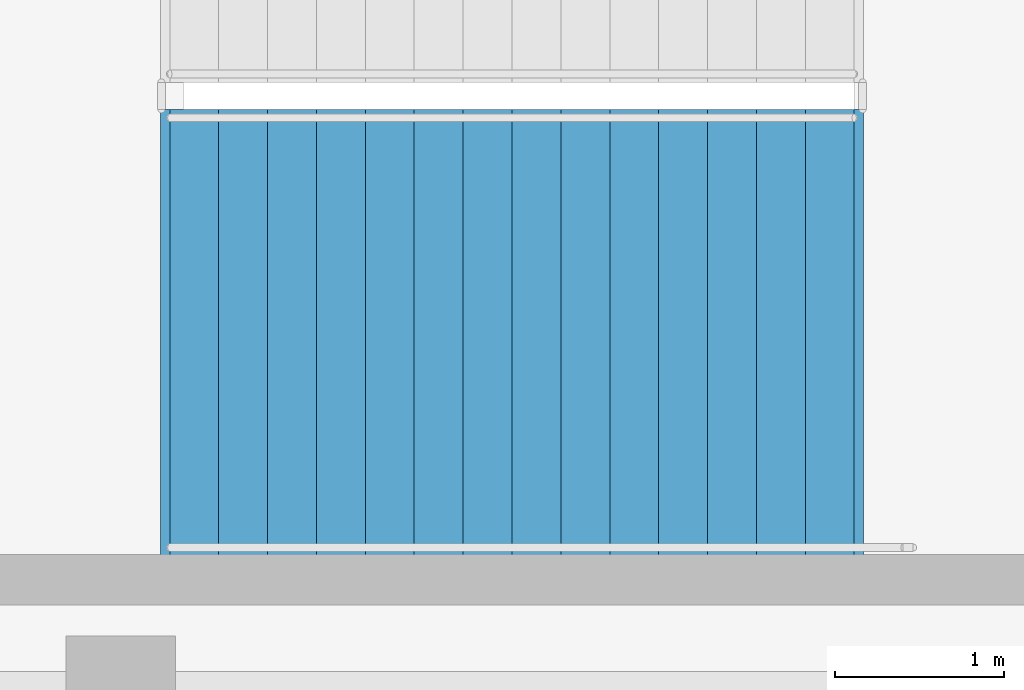
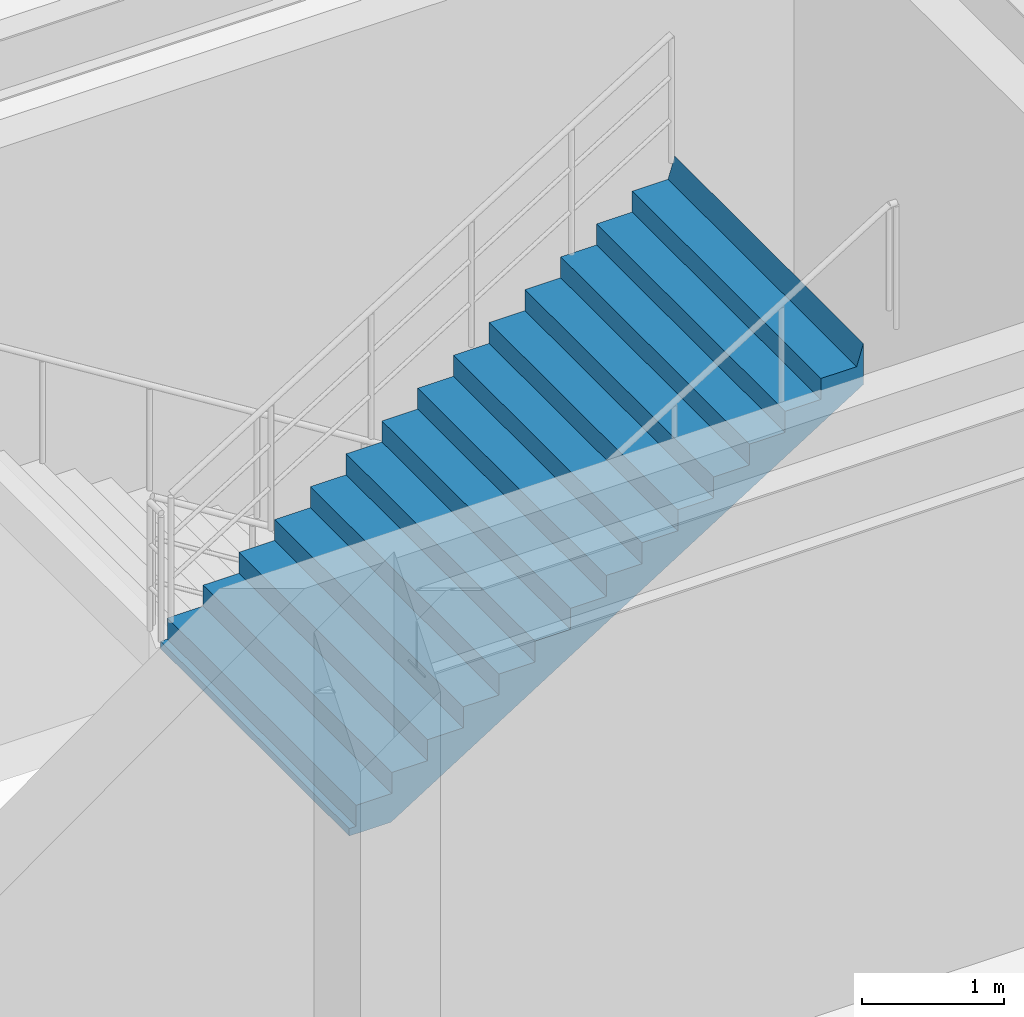
# One storey, part 64 of 93: 1 stair flight, 1 element without a shape of its own.
"""IFC4 building model written with IfcOpenShell, lengths in metres."""

import ifcopenshell
import ifcopenshell.guid

model = None  # the IFC model being written
_history = None  # IfcOwnerHistory: only IFC2X3 demands one
_inside = {}  # id of a spatial element -> (the spatial element, [elements in it])
_under = {}  # id of a project, library or spatial element -> (it, [spatial elements below it])
_declared = {}  # id of a project -> (the project, [libraries it declares])
_typed = {}  # id of a type object -> (the type object, [elements of that type])
_made_of = {}  # id of a material, layer set ... -> (it, [elements and type objects made of it])


def new_model(schema):
    """Start an empty IFC model of exactly this schema.

    Asked for "IFC4X3", IfcOpenShell would pick the latest addendum, in which some entities
    have other attributes; the version numbers below select the first issue.
    IFC2X3 requires an IfcOwnerHistory on every rooted entity: one is made here for all.
    """
    global model, _history
    if schema == "IFC4X3":
        model = ifcopenshell.file(schema_version=(4, 3, 0, 0))
    else:
        model = ifcopenshell.file(schema=schema)
    _inside.clear()
    _under.clear()
    _declared.clear()
    _typed.clear()
    _made_of.clear()
    _history = None
    if model.schema == "IFC2X3":
        org = make("IfcOrganization", Name="unknown")
        user = make(
            "IfcPersonAndOrganization",
            ThePerson=make("IfcPerson", FamilyName="unknown"),
            TheOrganization=org,
        )
        app = make(
            "IfcApplication",
            ApplicationDeveloper=org,
            Version="unknown",
            ApplicationFullName="unknown",
            ApplicationIdentifier="unknown",
        )
        _history = make(
            "IfcOwnerHistory",
            OwningUser=user,
            OwningApplication=app,
            ChangeAction="ADDED",
            CreationDate=0,
        )
    return model


def make(cls, **values):
    """One entity of the class cls with the attributes given. An attribute that is None is left unset."""
    return model.create_entity(
        cls, **{name: value for name, value in values.items() if value is not None}
    )


def rooted(cls, **values):
    """An entity with a GlobalId (a new one), such as an element, a storey or a relation."""
    return make(cls, GlobalId=ifcopenshell.guid.new(), OwnerHistory=_history, **values)


def si_unit(unit_type, name, prefix=None):
    """IfcSIUnit, for example si_unit("LENGTHUNIT", "METRE", prefix="MILLI")."""
    return make("IfcSIUnit", UnitType=unit_type, Prefix=prefix, Name=name)


def assignment(units):
    """IfcUnitAssignment: the units of a project."""
    return None if units is None else make("IfcUnitAssignment", Units=units)


def point(xyz):
    """IfcCartesianPoint."""
    return None if xyz is None else make("IfcCartesianPoint", Coordinates=xyz)


def direction(xyz):
    """IfcDirection."""
    return None if xyz is None else make("IfcDirection", DirectionRatios=xyz)


def frame(location, z_axis=None, x_axis=None):
    """IfcAxis2Placement3D, a coordinate frame: its origin and axes. An axis left out is left unset."""
    return make(
        "IfcAxis2Placement3D",
        Location=point(location),
        Axis=direction(z_axis),
        RefDirection=direction(x_axis),
    )


def origin():
    """The frame at (0, 0, 0) with its axes left unset."""
    return frame((0.0, 0.0, 0.0))


def place(relative_to, where):
    """IfcLocalPlacement: puts the frame where relative to a parent placement (None: the world)."""
    return make(
        "IfcLocalPlacement", PlacementRelTo=relative_to, RelativePlacement=where
    )


def context(
    kind, dimensions, precision=None, world=None, true_north=None, identifier=None
):
    """IfcGeometricRepresentationContext, for example the 3D "Model" context."""
    return make(
        "IfcGeometricRepresentationContext",
        ContextIdentifier=identifier,
        ContextType=kind,
        CoordinateSpaceDimension=dimensions,
        Precision=precision,
        WorldCoordinateSystem=world,
        TrueNorth=true_north,
    )


def subcontext(parent, identifier, kind, view, scale=None):
    """IfcGeometricRepresentationSubContext, for example "Body" below "Model"."""
    return make(
        "IfcGeometricRepresentationSubContext",
        ContextIdentifier=identifier,
        ContextType=kind,
        ParentContext=parent,
        TargetScale=scale,
        TargetView=view,
    )


def project(units=None, contexts=None):
    """IfcProject with its units and contexts."""
    return rooted(
        "IfcProject",
        Name="project",
        RepresentationContexts=contexts,
        UnitsInContext=assignment(units),
    )


def spatial(cls, under=None, at=None, **own):
    """A site, building, storey or space (cls), placed at a placement, below another one or the project."""
    s = rooted(cls, ObjectPlacement=at, **own)
    if under is not None:
        _under.setdefault(under.id(), (under, []))[1].append(s)
    return s


def polyline(points):
    """IfcPolyline through the points."""
    return make("IfcPolyline", Points=[point(p) for p in points])


def outline(outer, holes=None, kind="AREA"):
    """IfcArbitraryClosedProfileDef: a profile drawn as a closed curve; with holes, ...WithVoids."""
    if holes is None:
        return make("IfcArbitraryClosedProfileDef", ProfileType=kind, OuterCurve=outer)
    return make(
        "IfcArbitraryProfileDefWithVoids",
        ProfileType=kind,
        OuterCurve=outer,
        InnerCurves=holes,
    )


def extrude(swept, where, along, depth):
    """IfcExtrudedAreaSolid: the profile swept, set in the frame where, extruded along a direction by depth."""
    return make(
        "IfcExtrudedAreaSolid",
        SweptArea=swept,
        Position=where,
        ExtrudedDirection=direction(along),
        Depth=depth,
    )


def shape(context_of_items, identifier, shape_type, items):
    """IfcShapeRepresentation: the items that make up one representation, for example the "Body"."""
    return make(
        "IfcShapeRepresentation",
        ContextOfItems=context_of_items,
        RepresentationIdentifier=identifier,
        RepresentationType=shape_type,
        Items=items,
    )


def material(Name=None, Category=None):
    """IfcMaterial."""
    return make("IfcMaterial", Name=Name, Category=Category)


def made_of(thing, what):
    """Note that an element or type object is made of a material, layer set ...; save() writes the relation."""
    if what is not None:
        _made_of.setdefault(what.id(), (what, []))[1].append(thing)
    return thing


def type_object(cls, material=None, **own):
    """A type object (cls), such as IfcWallType, which elements share."""
    return made_of(rooted(cls, **own), material)


def element(
    cls,
    number,
    at=None,
    inside=None,
    cuts=None,
    type_object=None,
    material=None,
    context=None,
    identifier="Body",
    shape_type=None,
    held_by="IfcProductDefinitionShape",
    body=None,
    shapes=None,
    **own,
):
    """One element of the class cls, such as IfcWall. Its Tag is "e" and its number.

    at: its placement. inside: the storey or other place that contains it. cuts: it is an
    opening in that element (IfcRelVoidsElement). A single representation is given by context,
    identifier, shape_type and body (its items); several are given by shapes. held_by: the class
    of the entity that holds the representations. save() writes the other relations.
    """
    e = rooted(cls, Tag="e%d" % number, ObjectPlacement=at, **own)
    if body is not None:
        shapes = [shape(context, identifier, shape_type, body)]
    if shapes is not None:
        e.Representation = make(held_by, Representations=shapes)
    if inside is not None:
        _inside.setdefault(inside.id(), (inside, []))[1].append(e)
    if cuts is not None:
        rooted(
            "IfcRelVoidsElement", RelatingBuildingElement=cuts, RelatedOpeningElement=e
        )
    if type_object is not None:
        _typed.setdefault(type_object.id(), (type_object, []))[1].append(e)
    return made_of(e, material)


def aggregate(whole, parts):
    """IfcRelAggregates: a whole, such as a stair, and the parts it consists of."""
    return rooted("IfcRelAggregates", RelatingObject=whole, RelatedObjects=parts)


def save(model, path):
    """Write the relations noted so far, then the file.

    IfcRelAggregates (storeys below a building ...), IfcRelContainedInSpatialStructure (elements
    in a storey), IfcRelDefinesByType, IfcRelAssociatesMaterial and IfcRelDeclares: one each for
    every whole, place, type object, material and project.
    """
    for whole, parts in _under.values():
        aggregate(whole, parts)
    for where, things in _inside.values():
        rooted(
            "IfcRelContainedInSpatialStructure",
            RelatedElements=things,
            RelatingStructure=where,
        )
    for kind, things in _typed.values():
        rooted("IfcRelDefinesByType", RelatedObjects=things, RelatingType=kind)
    for what, things in _made_of.values():
        rooted("IfcRelAssociatesMaterial", RelatedObjects=things, RelatingMaterial=what)
    for by, libraries in _declared.values():
        rooted("IfcRelDeclares", RelatingContext=by, RelatedDefinitions=libraries)
    model.write(path)


model = new_model("IFC4")

# Units and contexts
model_context = context("Model", 3, precision=1e-05, world=origin(), true_north=direction((0.0, 1.0)))
body_context = subcontext(model_context, "Body", "Model", "MODEL_VIEW")
ifc_project = project(units=[si_unit("LENGTHUNIT", "METRE"), si_unit("AREAUNIT", "SQUARE_METRE"), si_unit("VOLUMEUNIT", "CUBIC_METRE"), si_unit("PLANEANGLEUNIT", "RADIAN"), si_unit("MASSUNIT", "GRAM", prefix="KILO")], contexts=[model_context])

# Site, building, storey
site_placement = place(None, origin())
site = spatial("IfcSite", under=ifc_project, at=site_placement, CompositionType="ELEMENT")
building_placement = place(site_placement, origin())
building = spatial("IfcBuilding", under=site, at=building_placement, Name="Cinderbank Siding Concert Hall", CompositionType="ELEMENT")
storey_placement = place(building_placement, origin())
storey = spatial("IfcBuildingStorey", under=building, at=storey_placement, Name="L01", CompositionType="ELEMENT", Elevation=0.0)

# Stair, stair flight
ifc_material = material(Name="Reinforced concrete AS 3600 N50 (50 MPa)", Category="concrete")
stair_type = type_object("IfcStairType", Name="STR-A Dogleg Exit Stair 2650mm", PredefinedType="HALF_TURN_STAIR", material=ifc_material)
stair_placement = place(storey_placement, origin())
stair = element("IfcStair", 1, at=stair_placement, inside=storey, type_object=stair_type, Name="L01 Chamber Pavilion Exit Stair ST-06", PredefinedType="HALF_TURN_STAIR")
stair_flight_type = type_object("IfcStairFlightType", Name="SFL-A Concrete Stair Flight 2650mm", PredefinedType="STRAIGHT", material=ifc_material)
stair_flight_placement = place(storey_placement, frame((12.68994140625, 30.125, 2.699951171875), z_axis=(0.0, 0.0, 1.0), x_axis=(1.0, 0.0, 0.0)))
stair_flight = element("IfcStairFlight", 2, at=stair_flight_placement, type_object=stair_flight_type, Name="ST-06 flight 2", NumberOfRisers=15, NumberOfTreads=14, PredefinedType="STRAIGHT", RiserHeight=0.18, TreadLength=0.29, context=body_context, shape_type="SweptSolid", body=[
    extrude(outline(polyline([(0.0, 0.0), (0.0, 0.179931640625), (0.2900390625, 0.179931640625), (0.2900390625, 0.360107421875), (0.580078125, 0.360107421875), (0.580078125, 0.5400390625), (0.8701171875, 0.5400390625), (0.8701171875, 0.719970703125), (1.159912109375, 0.719970703125), (1.159912109375, 0.89990234375), (1.449951171875, 0.89990234375), (1.449951171875, 1.080078125), (1.739990234375, 1.080078125), (1.739990234375, 1.260009765625), (2.030029296875, 1.260009765625), (2.030029296875, 1.43994140625), (2.320068359375, 1.43994140625), (2.320068359375, 1.6201171875), (2.610107421875, 1.6201171875), (2.610107421875, 1.800048828125), (2.89990234375, 1.800048828125), (2.89990234375, 1.97998046875), (3.18994140625, 1.97998046875), (3.18994140625, 2.159912109375), (3.47998046875, 2.159912109375), (3.47998046875, 2.340087890625), (3.77001953125, 2.340087890625), (3.77001953125, 2.52001953125), (4.06005859375, 2.52001953125), (4.114990234375, 2.699951171875), (4.114990234375, 2.343505859375), (4.11474609375, 2.34375), (4.11474609375, 2.343994140625), (4.11474609375, 2.34423828125), (4.11474609375, 2.344482421875), (4.11474609375, 2.3447265625), (4.11474609375, 2.344970703125), (4.11474609375, 2.34521484375), (4.11474609375, 2.345458984375), (4.11474609375, 2.345703125), (4.11474609375, 2.345947265625), (4.11474609375, 2.34619140625), (4.11474609375, 2.346435546875), (4.114501953125, 2.346435546875), (4.114501953125, 2.34619140625), (4.114501953125, 2.345947265625), (4.114501953125, 2.345703125), (4.114501953125, 2.345458984375), (4.114501953125, 2.34521484375), (4.114501953125, 2.344970703125), (4.114501953125, 2.3447265625), (4.114501953125, 2.344482421875), (4.114501953125, 2.34423828125), (4.114501953125, 2.343994140625), (4.114501953125, 2.34375), (4.114501953125, 2.343505859375), (4.1142578125, 2.34375), (4.1142578125, 2.343994140625), (4.1142578125, 2.34423828125), (4.1142578125, 2.344482421875), (4.1142578125, 2.3447265625), (4.1142578125, 2.344970703125), (4.1142578125, 2.34521484375), (4.1142578125, 2.345458984375), (4.1142578125, 2.345703125), (4.1142578125, 2.345947265625), (4.1142578125, 2.34619140625), (4.1142578125, 2.346435546875), (4.114013671875, 2.346435546875), (4.114013671875, 2.34619140625), (4.114013671875, 2.345947265625), (4.114013671875, 2.345703125), (4.114013671875, 2.345458984375), (4.114013671875, 2.34521484375), (4.114013671875, 2.344970703125), (4.114013671875, 2.3447265625), (4.114013671875, 2.344482421875), (4.114013671875, 2.34423828125), (4.114013671875, 2.343994140625), (4.114013671875, 2.34375), (4.114013671875, 2.343505859375), (4.11376953125, 2.34375), (4.11376953125, 2.343994140625), (4.11376953125, 2.34423828125), (4.11376953125, 2.344482421875), (4.11376953125, 2.3447265625), (4.11376953125, 2.344970703125), (4.11376953125, 2.34521484375), (4.11376953125, 2.345458984375), (4.11376953125, 2.345703125), (4.11376953125, 2.345947265625), (4.11376953125, 2.34619140625), (4.11376953125, 2.346435546875), (4.113525390625, 2.346435546875), (4.113525390625, 2.34619140625), (4.113525390625, 2.345947265625), (4.113525390625, 2.345703125), (4.113525390625, 2.345458984375), (4.113525390625, 2.34521484375), (4.113525390625, 2.344970703125), (4.113525390625, 2.3447265625), (4.113525390625, 2.344482421875), (4.113525390625, 2.34423828125), (4.113525390625, 2.343994140625), (4.113525390625, 2.34375), (4.113525390625, 2.343505859375), (4.11328125, 2.34375), (4.11328125, 2.343994140625), (4.11328125, 2.34423828125), (4.11328125, 2.344482421875), (4.11328125, 2.3447265625), (4.11328125, 2.344970703125), (4.11328125, 2.34521484375), (4.11328125, 2.345458984375), (4.11328125, 2.345703125), (4.11328125, 2.345947265625), (4.11328125, 2.34619140625), (4.11328125, 2.346435546875), (4.113037109375, 2.346435546875), (4.113037109375, 2.34619140625), (4.113037109375, 2.345947265625), (4.113037109375, 2.345703125), (4.113037109375, 2.345458984375), (4.113037109375, 2.34521484375), (4.113037109375, 2.344970703125), (4.113037109375, 2.3447265625), (4.113037109375, 2.344482421875), (4.113037109375, 2.34423828125), (4.113037109375, 2.343994140625), (4.113037109375, 2.34375), (4.113037109375, 2.343505859375), (4.11279296875, 2.34375), (4.11279296875, 2.343994140625), (4.11279296875, 2.34423828125), (4.11279296875, 2.344482421875), (4.11279296875, 2.3447265625), (4.11279296875, 2.344970703125), (4.11279296875, 2.34521484375), (4.11279296875, 2.345458984375), (4.11279296875, 2.345703125), (4.11279296875, 2.345947265625), (4.11279296875, 2.34619140625), (4.11279296875, 2.346435546875), (4.112548828125, 2.346435546875), (4.112548828125, 2.34619140625), (4.112548828125, 2.345947265625), (4.112548828125, 2.345703125), (4.112548828125, 2.345458984375), (4.112548828125, 2.34521484375), (4.112548828125, 2.344970703125), (4.112548828125, 2.3447265625), (4.112548828125, 2.344482421875), (4.112548828125, 2.34423828125), (4.112548828125, 2.343994140625), (4.112548828125, 2.34375), (4.112548828125, 2.343505859375), (4.1123046875, 2.34375), (4.1123046875, 2.343994140625), (4.1123046875, 2.34423828125), (4.1123046875, 2.344482421875), (4.1123046875, 2.3447265625), (4.1123046875, 2.344970703125), (4.1123046875, 2.34521484375), (4.1123046875, 2.345458984375), (4.1123046875, 2.345703125), (4.1123046875, 2.345947265625), (4.1123046875, 2.34619140625), (4.1123046875, 2.346435546875), (4.112060546875, 2.346435546875), (4.112060546875, 2.34619140625), (4.112060546875, 2.345947265625), (4.112060546875, 2.345703125), (4.112060546875, 2.345458984375), (4.112060546875, 2.34521484375), (4.112060546875, 2.344970703125), (4.112060546875, 2.3447265625), (4.112060546875, 2.344482421875), (4.112060546875, 2.34423828125), (4.112060546875, 2.343994140625), (4.112060546875, 2.34375), (4.112060546875, 2.343505859375), (4.11181640625, 2.34375), (4.11181640625, 2.343994140625), (4.11181640625, 2.34423828125), (4.11181640625, 2.344482421875), (4.11181640625, 2.3447265625), (4.11181640625, 2.344970703125), (4.11181640625, 2.34521484375), (4.11181640625, 2.345458984375), (4.11181640625, 2.345703125), (4.11181640625, 2.345947265625), (4.11181640625, 2.34619140625), (4.11181640625, 2.346435546875), (4.111572265625, 2.346435546875), (4.111572265625, 2.34619140625), (4.111572265625, 2.345947265625), (4.111572265625, 2.345703125), (4.111572265625, 2.345458984375), (4.111572265625, 2.34521484375), (4.111572265625, 2.344970703125), (4.111572265625, 2.3447265625), (4.111572265625, 2.344482421875), (4.111572265625, 2.34423828125), (4.111572265625, 2.343994140625), (4.111572265625, 2.34375), (4.111572265625, 2.343505859375), (4.111328125, 2.34375), (4.111328125, 2.343994140625), (4.111328125, 2.34423828125), (4.111328125, 2.344482421875), (4.111328125, 2.3447265625), (4.111328125, 2.344970703125), (4.111328125, 2.34521484375), (4.111328125, 2.345458984375), (4.111328125, 2.345703125), (4.111328125, 2.345947265625), (4.111328125, 2.34619140625), (4.111328125, 2.346435546875), (4.111083984375, 2.346435546875), (4.111083984375, 2.34619140625), (4.111083984375, 2.345947265625), (4.111083984375, 2.345703125), (4.111083984375, 2.345458984375), (4.111083984375, 2.34521484375), (4.111083984375, 2.344970703125), (4.111083984375, 2.3447265625), (4.111083984375, 2.344482421875), (4.111083984375, 2.34423828125), (4.111083984375, 2.343994140625), (4.111083984375, 2.34375), (4.111083984375, 2.343505859375), (4.11083984375, 2.34375), (4.11083984375, 2.343994140625), (4.11083984375, 2.34423828125), (4.11083984375, 2.344482421875), (4.11083984375, 2.3447265625), (4.11083984375, 2.344970703125), (4.11083984375, 2.34521484375), (4.11083984375, 2.345458984375), (4.11083984375, 2.345703125), (4.11083984375, 2.345947265625), (4.11083984375, 2.34619140625), (4.11083984375, 2.346435546875), (4.110595703125, 2.346435546875), (4.110595703125, 2.34619140625), (4.110595703125, 2.345947265625), (4.110595703125, 2.345703125), (4.110595703125, 2.345458984375), (4.110595703125, 2.34521484375), (4.110595703125, 2.344970703125), (4.110595703125, 2.3447265625), (4.110595703125, 2.344482421875), (4.110595703125, 2.34423828125), (4.110595703125, 2.343994140625), (4.110595703125, 2.34375), (4.110595703125, 2.343505859375), (4.1103515625, 2.34375), (4.1103515625, 2.343994140625), (4.1103515625, 2.34423828125), (4.1103515625, 2.344482421875), (4.1103515625, 2.3447265625), (4.1103515625, 2.344970703125), (4.1103515625, 2.34521484375), (4.1103515625, 2.345458984375), (4.1103515625, 2.345703125), (4.1103515625, 2.345947265625), (4.1103515625, 2.34619140625), (4.1103515625, 2.346435546875), (4.110107421875, 2.346435546875), (4.110107421875, 2.34619140625), (4.110107421875, 2.345947265625), (4.110107421875, 2.345703125), (4.110107421875, 2.345458984375), (4.110107421875, 2.34521484375), (4.110107421875, 2.344970703125), (4.110107421875, 2.3447265625), (4.110107421875, 2.344482421875), (4.110107421875, 2.34423828125), (4.110107421875, 2.343994140625), (4.110107421875, 2.34375), (4.110107421875, 2.343505859375), (4.10986328125, 2.34375), (4.10986328125, 2.343994140625), (4.10986328125, 2.34423828125), (4.10986328125, 2.344482421875), (4.10986328125, 2.3447265625), (4.10986328125, 2.344970703125), (4.10986328125, 2.34521484375), (4.10986328125, 2.345458984375), (4.10986328125, 2.345703125), (4.10986328125, 2.345947265625), (4.10986328125, 2.34619140625), (4.10986328125, 2.346435546875), (4.109619140625, 2.346435546875), (4.109619140625, 2.34619140625), (4.109619140625, 2.345947265625), (4.109619140625, 2.345703125), (4.109619140625, 2.345458984375), (4.109619140625, 2.34521484375), (4.109619140625, 2.344970703125), (4.109619140625, 2.3447265625), (4.109619140625, 2.344482421875), (4.109619140625, 2.34423828125), (4.109619140625, 2.343994140625), (4.109619140625, 2.34375), (4.109619140625, 2.343505859375), (4.109375, 2.34375), (4.109375, 2.343994140625), (4.109375, 2.34423828125), (4.109375, 2.344482421875), (4.109375, 2.3447265625), (4.109375, 2.344970703125), (4.109375, 2.34521484375), (4.109375, 2.345458984375), (4.109375, 2.345703125), (4.109375, 2.345947265625), (4.109375, 2.34619140625), (4.109375, 2.346435546875), (4.109130859375, 2.346435546875), (4.109130859375, 2.34619140625), (4.109130859375, 2.345947265625), (4.109130859375, 2.345703125), (4.109130859375, 2.345458984375), (4.109130859375, 2.34521484375), (4.109130859375, 2.344970703125), (4.109130859375, 2.3447265625), (4.109130859375, 2.344482421875), (4.109130859375, 2.34423828125), (4.109130859375, 2.343994140625), (4.109130859375, 2.34375), (4.109130859375, 2.343505859375), (4.10888671875, 2.34375), (4.10888671875, 2.343994140625), (4.10888671875, 2.34423828125), (4.10888671875, 2.344482421875), (4.10888671875, 2.3447265625), (4.10888671875, 2.344970703125), (4.10888671875, 2.34521484375), (4.10888671875, 2.345458984375), (4.10888671875, 2.345703125), (4.10888671875, 2.345947265625), (4.10888671875, 2.34619140625), (4.10888671875, 2.346435546875), (4.108642578125, 2.346435546875), (4.108642578125, 2.34619140625), (4.108642578125, 2.345947265625), (4.108642578125, 2.345703125), (4.108642578125, 2.345458984375), (4.108642578125, 2.34521484375), (4.108642578125, 2.344970703125), (4.108642578125, 2.3447265625), (4.108642578125, 2.344482421875), (4.108642578125, 2.34423828125), (4.108642578125, 2.343994140625), (4.108642578125, 2.34375), (4.108642578125, 2.343505859375), (0.2841796875, -0.06396484375), (-0.048583984375, -0.063720703125), (-0.048583984375, -0.0634765625), (-0.048583984375, -0.063232421875), (-0.048583984375, -0.06298828125), (-0.048583984375, -0.062744140625), (-0.048583984375, -0.0625), (-0.048583984375, -0.062255859375), (-0.048583984375, -0.06201171875), (-0.048583984375, -0.061767578125), (-0.048583984375, -0.0615234375), (-0.048583984375, -0.061279296875), (-0.048583984375, -0.06103515625), (-0.048828125, -0.06103515625), (-0.048828125, -0.061279296875), (-0.048828125, -0.0615234375), (-0.048828125, -0.061767578125), (-0.048828125, -0.06201171875), (-0.048828125, -0.062255859375), (-0.048828125, -0.0625), (-0.048828125, -0.062744140625), (-0.048828125, -0.06298828125), (-0.048828125, -0.063232421875), (-0.048828125, -0.0634765625), (-0.048828125, -0.063720703125), (-0.048828125, -0.06396484375), (-0.049072265625, -0.063720703125), (-0.049072265625, -0.0634765625), (-0.049072265625, -0.063232421875), (-0.049072265625, -0.06298828125), (-0.049072265625, -0.062744140625), (-0.049072265625, -0.0625), (-0.049072265625, -0.062255859375), (-0.049072265625, -0.06201171875), (-0.049072265625, -0.061767578125), (-0.049072265625, -0.0615234375), (-0.049072265625, -0.061279296875), (-0.049072265625, -0.06103515625), (-0.04931640625, -0.06103515625), (-0.04931640625, -0.061279296875), (-0.04931640625, -0.0615234375), (-0.04931640625, -0.061767578125), (-0.04931640625, -0.06201171875), (-0.04931640625, -0.062255859375), (-0.04931640625, -0.0625), (-0.04931640625, -0.062744140625), (-0.04931640625, -0.06298828125), (-0.04931640625, -0.063232421875), (-0.04931640625, -0.0634765625), (-0.04931640625, -0.063720703125), (-0.04931640625, -0.06396484375), (-0.049560546875, -0.063720703125), (-0.049560546875, -0.0634765625), (-0.049560546875, -0.063232421875), (-0.049560546875, -0.06298828125), (-0.049560546875, -0.062744140625), (-0.049560546875, -0.0625), (-0.049560546875, -0.062255859375), (-0.049560546875, -0.06201171875), (-0.049560546875, -0.061767578125), (-0.049560546875, -0.0615234375), (-0.049560546875, -0.061279296875), (-0.049560546875, -0.06103515625), (-0.0498046875, -0.06103515625), (-0.0498046875, -0.061279296875), (-0.0498046875, -0.0615234375), (-0.0498046875, -0.061767578125), (-0.0498046875, -0.06201171875), (-0.0498046875, -0.062255859375), (-0.0498046875, -0.0625), (-0.0498046875, -0.062744140625), (-0.0498046875, -0.06298828125), (-0.0498046875, -0.063232421875), (-0.0498046875, -0.0634765625), (-0.0498046875, -0.063720703125), (-0.0498046875, -0.06396484375), (-0.050048828125, -0.063720703125), (-0.050048828125, -0.0634765625), (-0.050048828125, -0.063232421875), (-0.050048828125, -0.06298828125), (-0.050048828125, -0.062744140625), (-0.050048828125, -0.0625), (-0.050048828125, -0.062255859375), (-0.050048828125, -0.06201171875), (-0.050048828125, -0.061767578125), (-0.050048828125, -0.0615234375), (-0.050048828125, -0.061279296875), (-0.050048828125, -0.06103515625), (-0.05029296875, -0.06103515625), (-0.05029296875, -0.061279296875), (-0.05029296875, -0.0615234375), (-0.05029296875, -0.061767578125), (-0.05029296875, -0.06201171875), (-0.05029296875, -0.062255859375), (-0.05029296875, -0.0625), (-0.05029296875, -0.062744140625), (-0.05029296875, -0.06298828125), (-0.05029296875, -0.063232421875), (-0.05029296875, -0.0634765625), (-0.05029296875, -0.063720703125), (-0.05029296875, -0.06396484375), (-0.050537109375, -0.063720703125), (-0.050537109375, -0.0634765625), (-0.050537109375, -0.063232421875), (-0.050537109375, -0.06298828125), (-0.050537109375, -0.062744140625), (-0.050537109375, -0.0625), (-0.050537109375, -0.062255859375), (-0.050537109375, -0.06201171875), (-0.050537109375, -0.061767578125), (-0.050537109375, -0.0615234375), (-0.050537109375, -0.061279296875), (-0.050537109375, -0.06103515625), (-0.05078125, -0.06103515625), (-0.05078125, -0.061279296875), (-0.05078125, -0.0615234375), (-0.05078125, -0.061767578125), (-0.05078125, -0.06201171875), (-0.05078125, -0.062255859375), (-0.05078125, -0.0625), (-0.05078125, -0.062744140625), (-0.05078125, -0.06298828125), (-0.05078125, -0.063232421875), (-0.05078125, -0.0634765625), (-0.05078125, -0.063720703125), (-0.05078125, -0.06396484375), (-0.051025390625, -0.063720703125), (-0.051025390625, -0.0634765625), (-0.051025390625, -0.063232421875), (-0.051025390625, -0.06298828125), (-0.051025390625, -0.062744140625), (-0.051025390625, -0.0625), (-0.051025390625, -0.062255859375), (-0.051025390625, -0.06201171875), (-0.051025390625, -0.061767578125), (-0.051025390625, -0.0615234375), (-0.051025390625, -0.061279296875), (-0.051025390625, -0.06103515625), (-0.05126953125, -0.06103515625), (-0.05126953125, -0.061279296875), (-0.05126953125, -0.0615234375), (-0.05126953125, -0.061767578125), (-0.05126953125, -0.06201171875), (-0.05126953125, -0.062255859375), (-0.05126953125, -0.0625), (-0.05126953125, -0.062744140625), (-0.05126953125, -0.06298828125), (-0.05126953125, -0.063232421875), (-0.05126953125, -0.0634765625), (-0.05126953125, -0.063720703125), (-0.05126953125, -0.06396484375), (-0.051513671875, -0.063720703125), (-0.051513671875, -0.0634765625), (-0.051513671875, -0.063232421875), (-0.051513671875, -0.06298828125), (-0.051513671875, -0.062744140625), (-0.051513671875, -0.0625), (-0.051513671875, -0.062255859375), (-0.051513671875, -0.06201171875), (-0.051513671875, -0.061767578125), (-0.051513671875, -0.0615234375), (-0.051513671875, -0.061279296875), (-0.051513671875, -0.06103515625), (-0.0517578125, -0.06103515625), (-0.0517578125, -0.061279296875), (-0.0517578125, -0.0615234375), (-0.0517578125, -0.061767578125), (-0.0517578125, -0.06201171875), (-0.0517578125, -0.062255859375), (-0.0517578125, -0.0625), (-0.0517578125, -0.062744140625), (-0.0517578125, -0.06298828125), (-0.0517578125, -0.063232421875), (-0.0517578125, -0.0634765625), (-0.0517578125, -0.063720703125), (-0.0517578125, -0.06396484375), (-0.052001953125, -0.063720703125), (-0.052001953125, -0.0634765625), (-0.052001953125, -0.063232421875), (-0.052001953125, -0.06298828125), (-0.052001953125, -0.062744140625), (-0.052001953125, -0.0625), (-0.052001953125, -0.062255859375), (-0.052001953125, -0.06201171875), (-0.052001953125, -0.061767578125), (-0.052001953125, -0.0615234375), (-0.052001953125, -0.061279296875), (-0.052001953125, -0.06103515625), (-0.05224609375, -0.06103515625), (-0.05224609375, -0.061279296875), (-0.05224609375, -0.0615234375), (-0.05224609375, -0.061767578125), (-0.05224609375, -0.06201171875), (-0.05224609375, -0.062255859375), (-0.05224609375, -0.0625), (-0.05224609375, -0.062744140625), (-0.05224609375, -0.06298828125), (-0.05224609375, -0.063232421875), (-0.05224609375, -0.0634765625), (-0.05224609375, -0.063720703125), (-0.05224609375, -0.06396484375), (-0.052490234375, -0.063720703125), (-0.052490234375, -0.0634765625), (-0.052490234375, -0.063232421875), (-0.052490234375, -0.06298828125), (-0.052490234375, -0.062744140625), (-0.052490234375, -0.0625), (-0.052490234375, -0.062255859375), (-0.052490234375, -0.06201171875), (-0.052490234375, -0.061767578125), (-0.052490234375, -0.0615234375), (-0.052490234375, -0.061279296875), (-0.052490234375, -0.06103515625), (-0.052734375, -0.06103515625), (-0.052734375, -0.061279296875), (-0.052734375, -0.0615234375), (-0.052734375, -0.061767578125), (-0.052734375, -0.06201171875), (-0.052734375, -0.062255859375), (-0.052734375, -0.0625), (-0.052734375, -0.062744140625), (-0.052734375, -0.06298828125), (-0.052734375, -0.063232421875), (-0.052734375, -0.0634765625), (-0.052734375, -0.063720703125), (-0.052734375, -0.06396484375), (-0.052978515625, -0.063720703125), (-0.052978515625, -0.0634765625), (-0.052978515625, -0.063232421875), (-0.052978515625, -0.06298828125), (-0.052978515625, -0.062744140625), (-0.052978515625, -0.0625), (-0.052978515625, -0.062255859375), (-0.052978515625, -0.06201171875), (-0.052978515625, -0.061767578125), (-0.052978515625, -0.0615234375), (-0.052978515625, -0.061279296875), (-0.052978515625, -0.06103515625), (-0.05322265625, -0.06103515625), (-0.05322265625, -0.061279296875), (-0.05322265625, -0.0615234375), (-0.05322265625, -0.061767578125), (-0.05322265625, -0.06201171875), (-0.05322265625, -0.062255859375), (-0.05322265625, -0.0625), (-0.05322265625, -0.062744140625), (-0.05322265625, -0.06298828125), (-0.05322265625, -0.063232421875), (-0.05322265625, -0.0634765625), (-0.05322265625, -0.063720703125), (-0.05322265625, -0.06396484375), (-0.053466796875, -0.063720703125), (-0.053466796875, -0.0634765625), (-0.053466796875, -0.063232421875), (-0.053466796875, -0.06298828125), (-0.053466796875, -0.062744140625), (-0.053466796875, -0.0625), (-0.053466796875, -0.062255859375), (-0.053466796875, -0.06201171875), (-0.053466796875, -0.061767578125), (-0.053466796875, -0.0615234375), (-0.053466796875, -0.061279296875), (-0.053466796875, -0.06103515625), (-0.0537109375, -0.06103515625), (-0.0537109375, -0.061279296875), (-0.0537109375, -0.0615234375), (-0.0537109375, -0.061767578125), (-0.0537109375, -0.06201171875), (-0.0537109375, -0.062255859375), (-0.0537109375, -0.0625), (-0.0537109375, -0.062744140625), (-0.0537109375, -0.06298828125), (-0.0537109375, -0.063232421875), (-0.0537109375, -0.0634765625), (-0.0537109375, -0.063720703125), (-0.0537109375, -0.06396484375), (-0.053955078125, -0.063720703125), (-0.053955078125, -0.0634765625), (-0.053955078125, -0.063232421875), (-0.053955078125, -0.06298828125), (-0.053955078125, -0.062744140625), (-0.053955078125, -0.0625), (-0.053955078125, -0.062255859375), (-0.053955078125, -0.06201171875), (-0.053955078125, -0.061767578125), (-0.053955078125, -0.0615234375), (-0.053955078125, -0.061279296875), (-0.053955078125, -0.06103515625), (-0.05419921875, -0.06103515625), (-0.05419921875, -0.061279296875), (-0.05419921875, -0.0615234375), (-0.05419921875, -0.061767578125), (-0.05419921875, -0.06201171875), (-0.05419921875, -0.062255859375), (-0.05419921875, -0.0625), (-0.05419921875, -0.062744140625), (-0.05419921875, -0.06298828125), (-0.05419921875, -0.063232421875), (-0.05419921875, -0.0634765625), (-0.05419921875, -0.063720703125), (-0.05419921875, -0.06396484375), (-0.054443359375, -0.063720703125), (-0.054443359375, -0.0634765625), (-0.054443359375, -0.063232421875), (-0.054443359375, -0.06298828125), (-0.054443359375, -0.062744140625), (-0.054443359375, -0.0625), (-0.054443359375, -0.062255859375), (-0.054443359375, -0.06201171875), (-0.054443359375, -0.061767578125), (-0.054443359375, -0.0615234375), (-0.054443359375, -0.061279296875), (-0.054443359375, -0.06103515625), (-0.0546875, -0.06103515625), (-0.0546875, -0.061279296875), (-0.0546875, -0.0615234375), (-0.0546875, -0.061767578125), (-0.0546875, -0.06201171875), (-0.0546875, -0.062255859375), (-0.0546875, -0.0625), (-0.0546875, -0.062744140625), (-0.0546875, -0.06298828125), (-0.0546875, -0.063232421875), (-0.0546875, -0.0634765625), (-0.0546875, -0.063720703125), (-0.0546875, -0.06396484375), (-0.054931640625, -0.06396484375), (-0.054931640625, 0.0), (0.0, 0.0)])), frame((0.0, 1.324951171875, 0.0), z_axis=(0.0, -1.0, 0.0), x_axis=(1.0, 0.0, 0.0)), (0.0, 0.0, 1.0), 2.64990234375),
])
aggregate(stair, [stair_flight])

save(model, "model.ifc")
